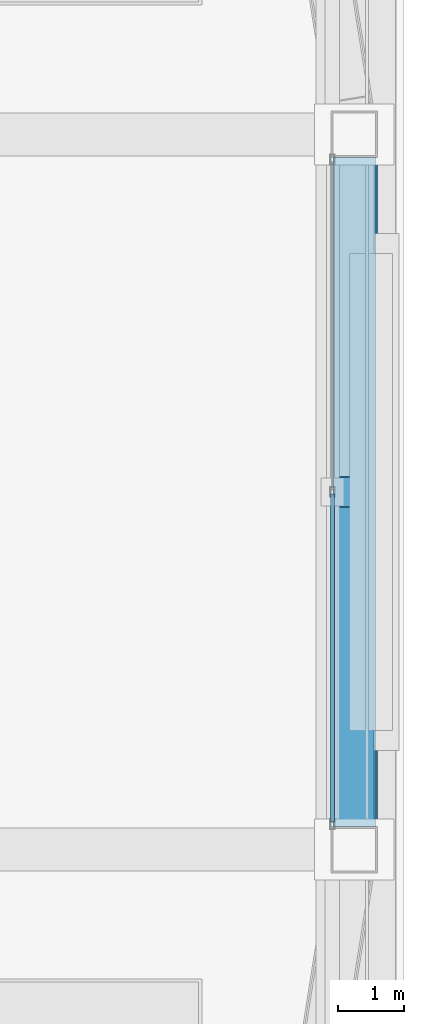
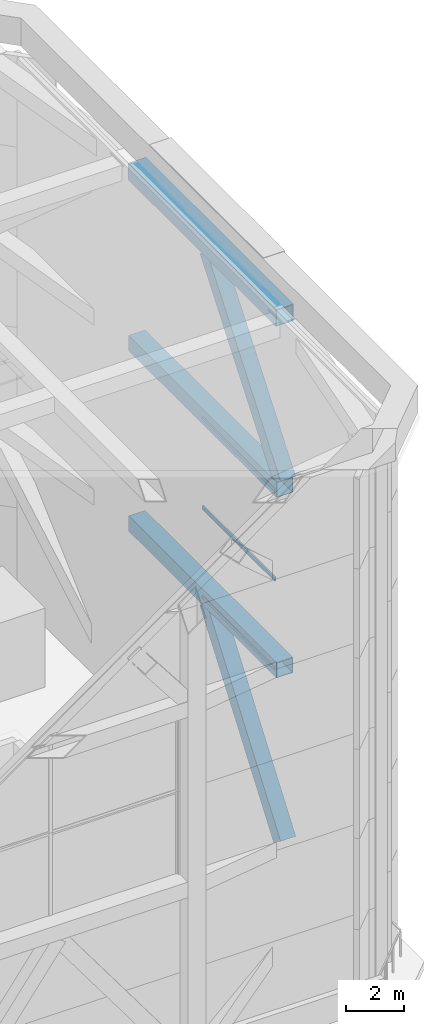
# One storey, part 12 of 28: 6 members, 3 beams, 2 elements without a shape of their own.
"""IFC4 building model written with IfcOpenShell, lengths in metres."""

from ifc_helpers import new_model, si_unit, direction, frame, origin, origin_2d, place, context, subcontext, project, spatial, hollow_rectangle, extrude, material, material_profile, profile_set, type_object, element, aggregate, save


model = new_model("IFC4")

# Units and contexts
model_context = context("Model", 3, precision=1e-05, world=origin(), true_north=direction((0.0, 1.0)))
body_context = subcontext(model_context, "Body", "Model", "MODEL_VIEW")
ifc_project = project(units=[si_unit("LENGTHUNIT", "METRE"), si_unit("AREAUNIT", "SQUARE_METRE"), si_unit("VOLUMEUNIT", "CUBIC_METRE"), si_unit("PLANEANGLEUNIT", "RADIAN"), si_unit("MASSUNIT", "GRAM", prefix="KILO")], contexts=[model_context])

# Site, building, storey
site_placement = place(None, origin())
site = spatial("IfcSite", under=ifc_project, at=site_placement, CompositionType="ELEMENT")
building_placement = place(site_placement, origin())
building = spatial("IfcBuilding", under=site, at=building_placement, Name="Tashvorn Skyway Center", CompositionType="ELEMENT")
storey_placement = place(building_placement, frame((0.0, 0.0, 277.60009765625)))
storey = spatial("IfcBuildingStorey", under=building, at=storey_placement, Name="Roof Level", CompositionType="ELEMENT", Elevation=277.60009765625)

# Beams
ifc_material_1 = material(Name="Steel ASTM A572 Grade 50", Category="steel")
ifc_material_profile_1 = material_profile(ifc_material_1, hollow_rectangle(XDim=0.64990234375, YDim=0.64990234375, WallThickness=0.02490234375, at=origin_2d()), Name="BOX650x650x25")
ifc_profile_set_1 = profile_set([ifc_material_profile_1], Name="Steel ASTM A572 Grade 50")
beam_type_1 = type_object("IfcBeamType", Name="BM-BEAM-BOX650x650x25", PredefinedType="BEAM", material=ifc_profile_set_1)
for number, where, z_axis, x_axis, name in (
    (1, (56.550048828125, 26.945068359375, 7.52978515625), (0.0, 1.0, 0.0), (-1.0, 0.0, 0.0), "CROWN FRAME Tower 1 Lower-Tier Ring Beam 05"),
    (2, (56.550048828125, 26.945068359375, 15.059814453125), (0.0, 1.0, 0.0), (-1.0, 0.0, 0.0), "CROWN FRAME Tower 1 Upper-Tier Ring Beam 05"),
):
    element("IfcBeam", number, at=place(storey_placement, frame(where, z_axis=z_axis, x_axis=x_axis)), inside=storey, type_object=beam_type_1, Name=name, PredefinedType="BEAM", context=body_context, shape_type="SweptSolid", body=[
        extrude(hollow_rectangle(XDim=0.64990234375, YDim=0.64990234375, WallThickness=0.02490234375, at=origin_2d()), origin(), (0.0, 0.0, 1.0), 10.10986328125),
    ])
ifc_material_profile_2 = material_profile(ifc_material_1, hollow_rectangle(XDim=0.699951171875, YDim=0.699951171875, WallThickness=0.028076171875, at=origin_2d()), Name="BOX700x700x28")
ifc_profile_set_2 = profile_set([ifc_material_profile_2], Name="Steel ASTM A572 Grade 50")
beam_type_2 = type_object("IfcBeamType", Name="BM-BEAM-BOX700x700x28", PredefinedType="BEAM", material=ifc_profile_set_2)
beam_placement = place(storey_placement, frame((56.550048828125, 26.945068359375, 22.239990234375), z_axis=(0.0, 1.0, 0.0), x_axis=(-1.0, 0.0, 0.0)))
element("IfcBeam", 3, at=beam_placement, inside=storey, type_object=beam_type_2, Name="CROWN FRAME Tower 1 Top Cap Ring Beam 05", PredefinedType="BEAM", context=body_context, shape_type="SweptSolid", body=[
    extrude(hollow_rectangle(XDim=0.699951171875, YDim=0.699951171875, WallThickness=0.028076171875, at=origin_2d()), origin(), (0.0, 0.0, 1.0), 10.10986328125),
])

# Curtain wall, members
ifc_material_2 = material(Name="Thermally broken bronze-anodized aluminium 6063-T6", Category="aluminium")
curtain_wall_type = type_object("IfcCurtainWallType", Name="CW-CW-SKY", PredefinedType="NOTDEFINED", material=ifc_material_2)
curtain_wall_1_placement = place(storey_placement, origin())
curtain_wall_1 = element("IfcCurtainWall", 4, at=curtain_wall_1_placement, inside=storey, type_object=curtain_wall_type, Name="CROWN Lantern Fritted Curtain Wall T1 E-3", PredefinedType="NOTDEFINED")
ifc_material_profile_3 = material_profile(ifc_material_2, hollow_rectangle(XDim=0.06494140625, YDim=0.10498046875, WallThickness=0.00390625, at=origin_2d()), Name="ALU-TRAN-65x105")
ifc_profile_set_3 = profile_set([ifc_material_profile_3], Name="Thermally broken bronze-anodized aluminium 6063-T6")
member_type_1 = type_object("IfcMemberType", Name="CWT-CW-SKY", PredefinedType="USERDEFINED", material=ifc_profile_set_3)
member_1_placement = place(storey_placement, frame((56.219970703125, 31.967529296875, 7.5625), z_axis=(0.0, -1.0, 0.0), x_axis=(1.0, 0.0, 0.0)))
member_1 = element("IfcMember", 5, at=member_1_placement, type_object=member_type_1, Name="CW-SKY transom 2.1", ObjectType="TRANSOM", PredefinedType="USERDEFINED", context=body_context, shape_type="SweptSolid", body=[
    extrude(hollow_rectangle(XDim=0.06494140625, YDim=0.10498046875, WallThickness=0.00390625, at=origin_2d()), origin(), (0.0, 0.0, 1.0), 4.95263671875),
])
member_2_placement = place(storey_placement, frame((56.219970703125, 31.967529296875, 11.262451171875), z_axis=(0.0, -1.0, 0.0), x_axis=(1.0, 0.0, 0.0)))
member_2 = element("IfcMember", 6, at=member_2_placement, type_object=member_type_1, Name="CW-SKY transom 2.2", ObjectType="TRANSOM", PredefinedType="USERDEFINED", context=body_context, shape_type="SweptSolid", body=[
    extrude(hollow_rectangle(XDim=0.06494140625, YDim=0.10498046875, WallThickness=0.00390625, at=origin_2d()), origin(), (0.0, 0.0, 1.0), 4.95263671875),
])
aggregate(curtain_wall_1, [member_1, member_2])

curtain_wall_2_placement = place(storey_placement, origin())
curtain_wall_2 = element("IfcCurtainWall", 7, at=curtain_wall_2_placement, inside=storey, type_object=curtain_wall_type, Name="CROWN Lantern Fritted Curtain Wall T1 E-4", PredefinedType="NOTDEFINED")
member_3_placement = place(storey_placement, frame((56.219970703125, 31.967529296875, 11.327392578125), z_axis=(0.0, -1.0, 0.0), x_axis=(1.0, 0.0, 0.0)))
member_3 = element("IfcMember", 8, at=member_3_placement, type_object=member_type_1, Name="CW-SKY transom 2.1", ObjectType="TRANSOM", PredefinedType="USERDEFINED", context=body_context, shape_type="SweptSolid", body=[
    extrude(hollow_rectangle(XDim=0.06494140625, YDim=0.10498046875, WallThickness=0.00390625, at=origin_2d()), origin(), (0.0, 0.0, 1.0), 4.95263671875),
])
member_4_placement = place(storey_placement, frame((56.219970703125, 31.967529296875, 15.02734375), z_axis=(0.0, -1.0, 0.0), x_axis=(1.0, 0.0, 0.0)))
member_4 = element("IfcMember", 9, at=member_4_placement, type_object=member_type_1, Name="CW-SKY transom 2.2", ObjectType="TRANSOM", PredefinedType="USERDEFINED", context=body_context, shape_type="SweptSolid", body=[
    extrude(hollow_rectangle(XDim=0.06494140625, YDim=0.10498046875, WallThickness=0.00390625, at=origin_2d()), origin(), (0.0, 0.0, 1.0), 4.95263671875),
])
aggregate(curtain_wall_2, [member_3, member_4])

# Members
ifc_material_profile_4 = material_profile(ifc_material_1, hollow_rectangle(XDim=0.60009765625, YDim=0.60009765625, WallThickness=0.02490234375, at=origin_2d()), Name="BOX600x600x25")
ifc_profile_set_4 = profile_set([ifc_material_profile_4], Name="Steel ASTM A572 Grade 50")
member_type_2 = type_object("IfcMemberType", Name="MEM-CF-BRC-600", PredefinedType="BRACE", material=ifc_profile_set_4)
member_5_placement = place(storey_placement, frame((56.550048828125, 26.945068359375, 0.349853515625), z_axis=(0.0, 0.593207833758, 0.805049356231), x_axis=(-1.0, 0.0, 0.0)))
element("IfcMember", 10, at=member_5_placement, inside=storey, type_object=member_type_2, Name="CROWN FRAME Tower 1 Tier-1 Chevron Brace 05A", PredefinedType="BRACE", context=body_context, shape_type="SweptSolid", body=[
    extrude(hollow_rectangle(XDim=0.60009765625, YDim=0.60009765625, WallThickness=0.02490234375, at=origin_2d()), origin(), (0.0, 0.0, 1.0), 8.521240234375),
])
member_6_placement = place(storey_placement, frame((56.550048828125, 26.945068359375, 15.3798828125), z_axis=(0.0, 0.612716787586, 0.790302561182), x_axis=(-1.0, 0.0, 0.0)))
element("IfcMember", 11, at=member_6_placement, inside=storey, type_object=member_type_2, Name="CROWN FRAME Tower 1 Tier-3 Chevron Brace 05A", PredefinedType="BRACE", context=body_context, shape_type="SweptSolid", body=[
    extrude(hollow_rectangle(XDim=0.60009765625, YDim=0.60009765625, WallThickness=0.02490234375, at=origin_2d()), origin(), (0.0, 0.0, 1.0), 8.25),
])

save(model, "model.ifc")
